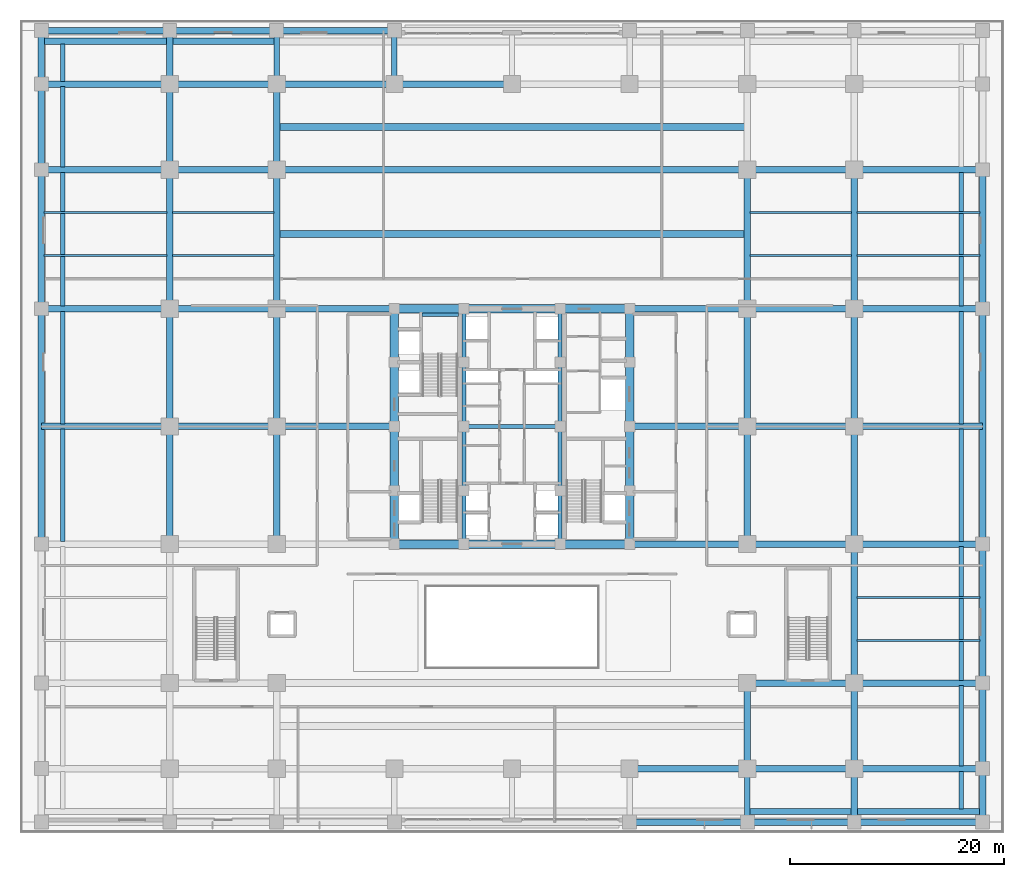
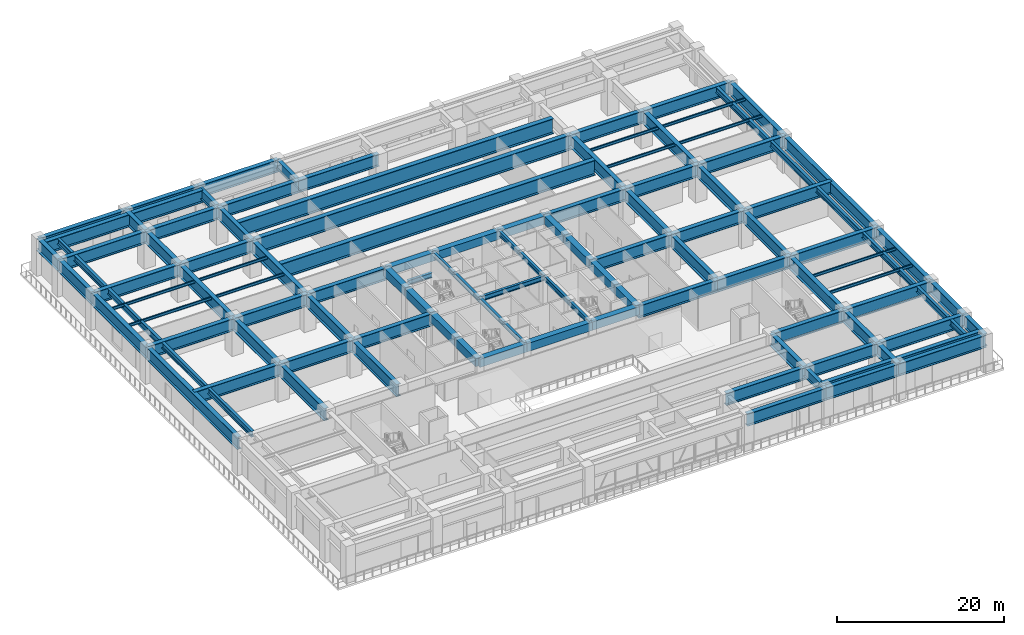
# One storey, part 7 of 28: 117 beams.
"""IFC4 building model written with IfcOpenShell, lengths in metres."""

import ifcopenshell
import ifcopenshell.guid

model = None  # the IFC model being written
_history = None  # IfcOwnerHistory: only IFC2X3 demands one
_inside = {}  # id of a spatial element -> (the spatial element, [elements in it])
_under = {}  # id of a project, library or spatial element -> (it, [spatial elements below it])
_declared = {}  # id of a project -> (the project, [libraries it declares])
_typed = {}  # id of a type object -> (the type object, [elements of that type])
_made_of = {}  # id of a material, layer set ... -> (it, [elements and type objects made of it])


def new_model(schema):
    """Start an empty IFC model of exactly this schema.

    Asked for "IFC4X3", IfcOpenShell would pick the latest addendum, in which some entities
    have other attributes; the version numbers below select the first issue.
    IFC2X3 requires an IfcOwnerHistory on every rooted entity: one is made here for all.
    """
    global model, _history
    if schema == "IFC4X3":
        model = ifcopenshell.file(schema_version=(4, 3, 0, 0))
    else:
        model = ifcopenshell.file(schema=schema)
    _inside.clear()
    _under.clear()
    _declared.clear()
    _typed.clear()
    _made_of.clear()
    _history = None
    if model.schema == "IFC2X3":
        org = make("IfcOrganization", Name="unknown")
        user = make(
            "IfcPersonAndOrganization",
            ThePerson=make("IfcPerson", FamilyName="unknown"),
            TheOrganization=org,
        )
        app = make(
            "IfcApplication",
            ApplicationDeveloper=org,
            Version="unknown",
            ApplicationFullName="unknown",
            ApplicationIdentifier="unknown",
        )
        _history = make(
            "IfcOwnerHistory",
            OwningUser=user,
            OwningApplication=app,
            ChangeAction="ADDED",
            CreationDate=0,
        )
    return model


def make(cls, **values):
    """One entity of the class cls with the attributes given. An attribute that is None is left unset."""
    return model.create_entity(
        cls, **{name: value for name, value in values.items() if value is not None}
    )


def rooted(cls, **values):
    """An entity with a GlobalId (a new one), such as an element, a storey or a relation."""
    return make(cls, GlobalId=ifcopenshell.guid.new(), OwnerHistory=_history, **values)


def si_unit(unit_type, name, prefix=None):
    """IfcSIUnit, for example si_unit("LENGTHUNIT", "METRE", prefix="MILLI")."""
    return make("IfcSIUnit", UnitType=unit_type, Prefix=prefix, Name=name)


def assignment(units):
    """IfcUnitAssignment: the units of a project."""
    return None if units is None else make("IfcUnitAssignment", Units=units)


def point(xyz):
    """IfcCartesianPoint."""
    return None if xyz is None else make("IfcCartesianPoint", Coordinates=xyz)


def direction(xyz):
    """IfcDirection."""
    return None if xyz is None else make("IfcDirection", DirectionRatios=xyz)


def frame(location, z_axis=None, x_axis=None):
    """IfcAxis2Placement3D, a coordinate frame: its origin and axes. An axis left out is left unset."""
    return make(
        "IfcAxis2Placement3D",
        Location=point(location),
        Axis=direction(z_axis),
        RefDirection=direction(x_axis),
    )


def frame_2d(location, x_axis=None):
    """IfcAxis2Placement2D, a coordinate frame in the plane: its origin and x axis."""
    return make(
        "IfcAxis2Placement2D", Location=point(location), RefDirection=direction(x_axis)
    )


def origin():
    """The frame at (0, 0, 0) with its axes left unset."""
    return frame((0.0, 0.0, 0.0))


def origin_2d():
    """The frame at (0, 0) in the plane with its x axis left unset."""
    return frame_2d((0.0, 0.0))


def place(relative_to, where):
    """IfcLocalPlacement: puts the frame where relative to a parent placement (None: the world)."""
    return make(
        "IfcLocalPlacement", PlacementRelTo=relative_to, RelativePlacement=where
    )


def context(
    kind, dimensions, precision=None, world=None, true_north=None, identifier=None
):
    """IfcGeometricRepresentationContext, for example the 3D "Model" context."""
    return make(
        "IfcGeometricRepresentationContext",
        ContextIdentifier=identifier,
        ContextType=kind,
        CoordinateSpaceDimension=dimensions,
        Precision=precision,
        WorldCoordinateSystem=world,
        TrueNorth=true_north,
    )


def subcontext(parent, identifier, kind, view, scale=None):
    """IfcGeometricRepresentationSubContext, for example "Body" below "Model"."""
    return make(
        "IfcGeometricRepresentationSubContext",
        ContextIdentifier=identifier,
        ContextType=kind,
        ParentContext=parent,
        TargetScale=scale,
        TargetView=view,
    )


def project(units=None, contexts=None):
    """IfcProject with its units and contexts."""
    return rooted(
        "IfcProject",
        Name="project",
        RepresentationContexts=contexts,
        UnitsInContext=assignment(units),
    )


def spatial(cls, under=None, at=None, **own):
    """A site, building, storey or space (cls), placed at a placement, below another one or the project."""
    s = rooted(cls, ObjectPlacement=at, **own)
    if under is not None:
        _under.setdefault(under.id(), (under, []))[1].append(s)
    return s


def profile(cls, at=None, kind="AREA", **sizes):
    """A parametric profile (cls). Its sizes go by their IFC names, for example OverallWidth=200.0."""
    return make(cls, ProfileType=kind, Position=at, **sizes)


def rectangle(**sizes):
    """IfcRectangleProfileDef."""
    return profile("IfcRectangleProfileDef", **sizes)


def i_section(**sizes):
    """IfcIShapeProfileDef."""
    return profile("IfcIShapeProfileDef", **sizes)


def extrude(swept, where, along, depth):
    """IfcExtrudedAreaSolid: the profile swept, set in the frame where, extruded along a direction by depth."""
    return make(
        "IfcExtrudedAreaSolid",
        SweptArea=swept,
        Position=where,
        ExtrudedDirection=direction(along),
        Depth=depth,
    )


def shape(context_of_items, identifier, shape_type, items):
    """IfcShapeRepresentation: the items that make up one representation, for example the "Body"."""
    return make(
        "IfcShapeRepresentation",
        ContextOfItems=context_of_items,
        RepresentationIdentifier=identifier,
        RepresentationType=shape_type,
        Items=items,
    )


def source(mapping_origin, context_of_items, identifier, shape_type, items):
    """IfcRepresentationMap: a shape defined once, which mapped items show again and again."""
    return make(
        "IfcRepresentationMap",
        MappingOrigin=mapping_origin,
        MappedRepresentation=shape(context_of_items, identifier, shape_type, items),
    )


def transform(
    local_origin,
    x_axis=None,
    y_axis=None,
    z_axis=None,
    scale=None,
    scale2=None,
    scale3=None,
    uniform=True,
):
    """IfcCartesianTransformationOperator3D, or its non-uniform kind. x_axis, y_axis, z_axis: its Axis1, 2, 3."""
    if uniform:
        return make(
            "IfcCartesianTransformationOperator3D",
            Axis1=direction(x_axis),
            Axis2=direction(y_axis),
            LocalOrigin=point(local_origin),
            Scale=scale,
            Axis3=direction(z_axis),
        )
    return make(
        "IfcCartesianTransformationOperator3DnonUniform",
        Axis1=direction(x_axis),
        Axis2=direction(y_axis),
        LocalOrigin=point(local_origin),
        Scale=scale,
        Axis3=direction(z_axis),
        Scale2=scale2,
        Scale3=scale3,
    )


def mapped(mapping_source, mapping_target):
    """IfcMappedItem: shows the shape of a source again, moved by a transform."""
    return make(
        "IfcMappedItem", MappingSource=mapping_source, MappingTarget=mapping_target
    )


def material(Name=None, Category=None):
    """IfcMaterial."""
    return make("IfcMaterial", Name=Name, Category=Category)


def material_profile(
    of_material, cross_section, Name=None, Category=None, Priority=None
):
    """IfcMaterialProfile: a cross section and its material."""
    return make(
        "IfcMaterialProfile",
        Name=Name,
        Material=of_material,
        Profile=cross_section,
        Priority=Priority,
        Category=Category,
    )


def profile_set(profiles, Name=None, composite=None):
    """IfcMaterialProfileSet."""
    return make(
        "IfcMaterialProfileSet",
        Name=Name,
        MaterialProfiles=profiles,
        CompositeProfile=composite,
    )


def made_of(thing, what):
    """Note that an element or type object is made of a material, layer set ...; save() writes the relation."""
    if what is not None:
        _made_of.setdefault(what.id(), (what, []))[1].append(thing)
    return thing


def type_object(cls, material=None, **own):
    """A type object (cls), such as IfcWallType, which elements share."""
    return made_of(rooted(cls, **own), material)


def element(
    cls,
    number,
    at=None,
    inside=None,
    cuts=None,
    type_object=None,
    material=None,
    context=None,
    identifier="Body",
    shape_type=None,
    held_by="IfcProductDefinitionShape",
    body=None,
    shapes=None,
    **own,
):
    """One element of the class cls, such as IfcWall. Its Tag is "e" and its number.

    at: its placement. inside: the storey or other place that contains it. cuts: it is an
    opening in that element (IfcRelVoidsElement). A single representation is given by context,
    identifier, shape_type and body (its items); several are given by shapes. held_by: the class
    of the entity that holds the representations. save() writes the other relations.
    """
    e = rooted(cls, Tag="e%d" % number, ObjectPlacement=at, **own)
    if body is not None:
        shapes = [shape(context, identifier, shape_type, body)]
    if shapes is not None:
        e.Representation = make(held_by, Representations=shapes)
    if inside is not None:
        _inside.setdefault(inside.id(), (inside, []))[1].append(e)
    if cuts is not None:
        rooted(
            "IfcRelVoidsElement", RelatingBuildingElement=cuts, RelatedOpeningElement=e
        )
    if type_object is not None:
        _typed.setdefault(type_object.id(), (type_object, []))[1].append(e)
    return made_of(e, material)


def aggregate(whole, parts):
    """IfcRelAggregates: a whole, such as a stair, and the parts it consists of."""
    return rooted("IfcRelAggregates", RelatingObject=whole, RelatedObjects=parts)


def save(model, path):
    """Write the relations noted so far, then the file.

    IfcRelAggregates (storeys below a building ...), IfcRelContainedInSpatialStructure (elements
    in a storey), IfcRelDefinesByType, IfcRelAssociatesMaterial and IfcRelDeclares: one each for
    every whole, place, type object, material and project.
    """
    for whole, parts in _under.values():
        aggregate(whole, parts)
    for where, things in _inside.values():
        rooted(
            "IfcRelContainedInSpatialStructure",
            RelatedElements=things,
            RelatingStructure=where,
        )
    for kind, things in _typed.values():
        rooted("IfcRelDefinesByType", RelatedObjects=things, RelatingType=kind)
    for what, things in _made_of.values():
        rooted("IfcRelAssociatesMaterial", RelatedObjects=things, RelatingMaterial=what)
    for by, libraries in _declared.values():
        rooted("IfcRelDeclares", RelatingContext=by, RelatedDefinitions=libraries)
    model.write(path)


model = new_model("IFC4")

# Units and contexts
model_context = context("Model", 3, precision=1e-05, world=origin(), true_north=direction((0.0, 1.0)))
body_context = subcontext(model_context, "Body", "Model", "MODEL_VIEW")
ifc_project = project(units=[si_unit("LENGTHUNIT", "METRE"), si_unit("AREAUNIT", "SQUARE_METRE"), si_unit("VOLUMEUNIT", "CUBIC_METRE"), si_unit("PLANEANGLEUNIT", "RADIAN"), si_unit("MASSUNIT", "GRAM", prefix="KILO")], contexts=[model_context])

# Site, building, storey
site_placement = place(None, origin())
site = spatial("IfcSite", under=ifc_project, at=site_placement, CompositionType="ELEMENT")
building_placement = place(site_placement, origin())
building = spatial("IfcBuilding", under=site, at=building_placement, Name="Khorayat Bourse Tower", CompositionType="ELEMENT")
storey_placement = place(building_placement, frame((0.0, 0.0, 6.60009765625)))
storey = spatial("IfcBuildingStorey", under=building, at=storey_placement, Name="L01", CompositionType="ELEMENT", Elevation=6.60009765625)

# Beams
ifc_material_1 = material(Name="Concrete C72/90", Category="concrete")
ifc_material_profile_1 = material_profile(ifc_material_1, rectangle(XDim=0.800048828125, YDim=1.199951171875, at=origin_2d()), Name="RC 800x1200")
ifc_profile_set_1 = profile_set([ifc_material_profile_1], Name="Concrete C72/90")
beam_type_1 = type_object("IfcBeamType", Name="BM-COUP-1200", PredefinedType="BEAM", material=ifc_profile_set_1)
shared_shape_1 = source(origin(), body_context, "Body", "SweptSolid", [
    extrude(rectangle(XDim=0.800048828125, YDim=1.199951171875, at=origin_2d()), origin(), (0.0, 0.0, 1.0), 5.0),
])
for number, where, z_axis, x_axis, name in (
    (1, (-11.0, -11.0, 4.47998046875), (0.0, 1.0, 0.0), (-1.0, 0.0, 0.0), "L01 BM-COUP-1200 BM-L01-CRX-01"),
    (2, (-11.0, 6.0, 4.47998046875), (0.0, 1.0, 0.0), (-1.0, 0.0, 0.0), "L01 BM-COUP-1200 BM-L01-CRX-04"),
    (3, (11.0, -11.0, 4.47998046875), (0.0, 1.0, 0.0), (-1.0, 0.0, 0.0), "L01 BM-COUP-1200 BM-L01-CRX-13"),
    (4, (11.0, 6.0, 4.47998046875), (0.0, 1.0, 0.0), (-1.0, 0.0, 0.0), "L01 BM-COUP-1200 BM-L01-CRX-16"),
):
    element("IfcBeam", number, at=place(storey_placement, frame(where, z_axis=z_axis, x_axis=x_axis)), inside=storey, type_object=beam_type_1, Name=name, PredefinedType="BEAM", context=body_context, shape_type="MappedRepresentation", body=[
        mapped(shared_shape_1, transform((0.0, 0.0, 0.0), scale=1.0)),
    ])
shared_shape_2 = source(origin(), body_context, "Body", "SweptSolid", [
    extrude(rectangle(XDim=0.800048828125, YDim=1.199951171875, at=origin_2d()), origin(), (0.0, 0.0, 1.0), 6.0),
])
for number, where, z_axis, x_axis, name in (
    (5, (-11.0, -6.0, 4.47998046875), (0.0, 1.0, 0.0), (-1.0, 0.0, 0.0), "L01 BM-COUP-1200 BM-L01-CRX-02"),
    (6, (-11.0, 0.0, 4.47998046875), (0.0, 1.0, 0.0), (-1.0, 0.0, 0.0), "L01 BM-COUP-1200 BM-L01-CRX-03"),
    (7, (11.0, -6.0, 4.47998046875), (0.0, 1.0, 0.0), (-1.0, 0.0, 0.0), "L01 BM-COUP-1200 BM-L01-CRX-14"),
    (8, (11.0, 0.0, 4.47998046875), (0.0, 1.0, 0.0), (-1.0, 0.0, 0.0), "L01 BM-COUP-1200 BM-L01-CRX-15"),
):
    element("IfcBeam", number, at=place(storey_placement, frame(where, z_axis=z_axis, x_axis=x_axis)), inside=storey, type_object=beam_type_1, Name=name, PredefinedType="BEAM", context=body_context, shape_type="MappedRepresentation", body=[
        mapped(shared_shape_2, transform((0.0, 0.0, 0.0), scale=1.0)),
    ])
ifc_material_2 = material(Name="Steel ASTM A992 Grade 50", Category="steel")
ifc_material_profile_2 = material_profile(ifc_material_2, i_section(OverallWidth=0.35498046875, OverallDepth=0.695068359375, WebThickness=0.015380859375, FlangeThickness=0.02490234375, FilletRadius=0.01806640625, at=origin_2d()), Name="W690X217")
ifc_profile_set_2 = profile_set([ifc_material_profile_2], Name="Steel ASTM A992 Grade 50")
beam_type_2 = type_object("IfcBeamType", Name="BM-GIRD-690", PredefinedType="BEAM", material=ifc_profile_set_2)
shared_shape_3 = source(origin(), body_context, "Body", "SweptSolid", [
    extrude(i_section(OverallWidth=0.35498046875, OverallDepth=0.695068359375, WebThickness=0.015380859375, FlangeThickness=0.02490234375, FilletRadius=0.01806640625, at=origin_2d()), origin(), (0.0, 0.0, 1.0), 5.0),
])
for number, where, z_axis, x_axis, name in (
    (9, (-4.5, -11.0, 4.732421875), (0.0, 1.0, 0.0), (-1.0, 0.0, 0.0), "L01 BM-GIRD-690 BM-L01-CRX-05"),
    (10, (-4.5, 6.0, 4.732421875), (0.0, 1.0, 0.0), (-1.0, 0.0, 0.0), "L01 BM-GIRD-690 BM-L01-CRX-08"),
    (11, (4.5, -11.0, 4.732421875), (0.0, 1.0, 0.0), (-1.0, 0.0, 0.0), "L01 BM-GIRD-690 BM-L01-CRX-09"),
    (12, (4.5, 6.0, 4.732421875), (0.0, 1.0, 0.0), (-1.0, 0.0, 0.0), "L01 BM-GIRD-690 BM-L01-CRX-12"),
):
    element("IfcBeam", number, at=place(storey_placement, frame(where, z_axis=z_axis, x_axis=x_axis)), inside=storey, type_object=beam_type_2, Name=name, PredefinedType="BEAM", context=body_context, shape_type="MappedRepresentation", body=[
        mapped(shared_shape_3, transform((0.0, 0.0, 0.0), scale=1.0)),
    ])
shared_shape_4 = source(origin(), body_context, "Body", "SweptSolid", [
    extrude(i_section(OverallWidth=0.35498046875, OverallDepth=0.695068359375, WebThickness=0.015380859375, FlangeThickness=0.02490234375, FilletRadius=0.01806640625, at=origin_2d()), origin(), (0.0, 0.0, 1.0), 6.0),
])
for number, where, z_axis, x_axis, name in (
    (13, (-4.5, -6.0, 4.732421875), (0.0, 1.0, 0.0), (-1.0, 0.0, 0.0), "L01 BM-GIRD-690 BM-L01-CRX-06"),
    (14, (-4.5, 0.0, 4.732421875), (0.0, 1.0, 0.0), (-1.0, 0.0, 0.0), "L01 BM-GIRD-690 BM-L01-CRX-07"),
    (15, (4.5, -6.0, 4.732421875), (0.0, 1.0, 0.0), (-1.0, 0.0, 0.0), "L01 BM-GIRD-690 BM-L01-CRX-10"),
    (16, (4.5, 0.0, 4.732421875), (0.0, 1.0, 0.0), (-1.0, 0.0, 0.0), "L01 BM-GIRD-690 BM-L01-CRX-11"),
):
    element("IfcBeam", number, at=place(storey_placement, frame(where, z_axis=z_axis, x_axis=x_axis)), inside=storey, type_object=beam_type_2, Name=name, PredefinedType="BEAM", context=body_context, shape_type="MappedRepresentation", body=[
        mapped(shared_shape_4, transform((0.0, 0.0, 0.0), scale=1.0)),
    ])
shared_shape_5 = source(origin(), body_context, "Body", "SweptSolid", [
    extrude(rectangle(XDim=0.800048828125, YDim=1.199951171875, at=origin_2d()), origin(), (0.0, 0.0, 1.0), 6.5),
])
for number, where, z_axis, x_axis, name in (
    (17, (-11.0, -11.0, 4.47998046875), (1.0, 0.0, 0.0), (0.0, 1.0, 0.0), "L01 BM-COUP-1200 BM-L01-CRY-17"),
    (18, (4.5, -11.0, 4.47998046875), (1.0, 0.0, 0.0), (0.0, 1.0, 0.0), "L01 BM-COUP-1200 BM-L01-CRY-19"),
    (19, (-11.0, 11.0, 4.47998046875), (1.0, 0.0, 0.0), (0.0, 1.0, 0.0), "L01 BM-COUP-1200 BM-L01-CRY-20"),
    (20, (4.5, 11.0, 4.47998046875), (1.0, 0.0, 0.0), (0.0, 1.0, 0.0), "L01 BM-COUP-1200 BM-L01-CRY-22"),
):
    element("IfcBeam", number, at=place(storey_placement, frame(where, z_axis=z_axis, x_axis=x_axis)), inside=storey, type_object=beam_type_1, Name=name, PredefinedType="BEAM", context=body_context, shape_type="MappedRepresentation", body=[
        mapped(shared_shape_5, transform((0.0, 0.0, 0.0), scale=1.0)),
    ])
shared_shape_6 = source(origin(), body_context, "Body", "SweptSolid", [
    extrude(rectangle(XDim=0.800048828125, YDim=1.199951171875, at=origin_2d()), origin(), (0.0, 0.0, 1.0), 9.0),
])
for number, where, z_axis, x_axis, name in (
    (21, (-4.5, -11.0, 4.47998046875), (1.0, 0.0, 0.0), (0.0, 1.0, 0.0), "L01 BM-COUP-1200 BM-L01-CRY-18"),
    (22, (-4.5, 11.0, 4.47998046875), (1.0, 0.0, 0.0), (0.0, 1.0, 0.0), "L01 BM-COUP-1200 BM-L01-CRY-21"),
):
    element("IfcBeam", number, at=place(storey_placement, frame(where, z_axis=z_axis, x_axis=x_axis)), inside=storey, type_object=beam_type_1, Name=name, PredefinedType="BEAM", context=body_context, shape_type="MappedRepresentation", body=[
        mapped(shared_shape_6, transform((0.0, 0.0, 0.0), scale=1.0)),
    ])
shared_shape_7 = source(origin(), body_context, "Body", "SweptSolid", [
    extrude(i_section(OverallWidth=0.35498046875, OverallDepth=0.695068359375, WebThickness=0.015380859375, FlangeThickness=0.02490234375, FilletRadius=0.01806640625, at=origin_2d()), origin(), (0.0, 0.0, 1.0), 3.39990234375),
])
beam_1_placement = place(storey_placement, frame((-8.419921875, 10.449951171875, 2.15234375), z_axis=(1.0, 0.0, 0.0), x_axis=(0.0, 1.0, 0.0)))
element("IfcBeam", 23, at=beam_1_placement, inside=storey, type_object=beam_type_2, Name="L01 BM-GIRD-690 BM-L01-ST2L", PredefinedType="BEAM", context=body_context, shape_type="MappedRepresentation", body=[
    mapped(shared_shape_7, transform((0.0, 0.0, 0.0), scale=1.0)),
])
shared_shape_8 = source(origin(), body_context, "Body", "SweptSolid", [
    extrude(i_section(OverallWidth=0.35498046875, OverallDepth=0.695068359375, WebThickness=0.015380859375, FlangeThickness=0.02490234375, FilletRadius=0.01806640625, at=origin_2d()), origin(), (0.0, 0.0, 1.0), 9.0),
])
beam_2_placement = place(storey_placement, frame((-4.5, 0.0, 4.732421875), z_axis=(1.0, 0.0, 0.0), x_axis=(0.0, 1.0, 0.0)))
element("IfcBeam", 24, at=beam_2_placement, inside=storey, type_object=beam_type_2, Name="L01 BM-GIRD-690 BM-L01-CRY-23", PredefinedType="BEAM", context=body_context, shape_type="MappedRepresentation", body=[
    mapped(shared_shape_8, transform((0.0, 0.0, 0.0), scale=1.0)),
])
ifc_material_3 = material(Name="Steel EN 10025-4 S460M", Category="steel")
ifc_material_profile_3 = material_profile(ifc_material_3, i_section(OverallWidth=0.60009765625, OverallDepth=1.800048828125, WebThickness=0.031982421875, FlangeThickness=0.06005859375, at=origin_2d()), Name="PG 1800x600x32x60")
ifc_profile_set_3 = profile_set([ifc_material_profile_3], Name="Steel EN 10025-4 S460M")
beam_type_3 = type_object("IfcBeamType", Name="BM-TR-1800", PredefinedType="BEAM", material=ifc_profile_set_3)
shared_shape_9 = source(origin(), body_context, "Body", "SweptSolid", [
    extrude(i_section(OverallWidth=0.60009765625, OverallDepth=1.800048828125, WebThickness=0.031982421875, FlangeThickness=0.06005859375, at=origin_2d()), origin(), (0.0, 0.0, 1.0), 10.0),
])
for number, where, z_axis, x_axis, name in (
    (25, (22.0, -37.0, 4.179931640625), (1.0, 0.0, 0.0), (0.0, 1.0, 0.0), "L01 BM-TR-1800 BM-L01-PGX-029"),
    (26, (22.0, -36.0, 4.179931640625), (1.0, 0.0, 0.0), (0.0, 1.0, 0.0), "L01 BM-TR-1800 BM-L01-PGX-034"),
    (27, (22.0, -32.0, 4.179931640625), (1.0, 0.0, 0.0), (0.0, 1.0, 0.0), "L01 BM-TR-1800 BM-L01-PGX-042"),
    (28, (22.0, -24.0, 4.179931640625), (1.0, 0.0, 0.0), (0.0, 1.0, 0.0), "L01 BM-TR-1800 BM-L01-PGX-047"),
    (29, (22.0, -11.0, 4.179931640625), (1.0, 0.0, 0.0), (0.0, 1.0, 0.0), "L01 BM-TR-1800 BM-L01-PGX-056"),
    (30, (-32.0, 0.0, 4.179931640625), (1.0, 0.0, 0.0), (0.0, 1.0, 0.0), "L01 BM-TR-1800 BM-L01-PGX-059"),
    (31, (22.0, 0.0, 4.179931640625), (1.0, 0.0, 0.0), (0.0, 1.0, 0.0), "L01 BM-TR-1800 BM-L01-PGX-062"),
    (32, (-32.0, 11.0, 4.179931640625), (1.0, 0.0, 0.0), (0.0, 1.0, 0.0), "L01 BM-TR-1800 BM-L01-PGX-065"),
    (33, (22.0, 11.0, 4.179931640625), (1.0, 0.0, 0.0), (0.0, 1.0, 0.0), "L01 BM-TR-1800 BM-L01-PGX-071"),
    (34, (-32.0, 24.0, 4.179931640625), (1.0, 0.0, 0.0), (0.0, 1.0, 0.0), "L01 BM-TR-1800 BM-L01-PGX-074"),
    (35, (22.0, 24.0, 4.179931640625), (1.0, 0.0, 0.0), (0.0, 1.0, 0.0), "L01 BM-TR-1800 BM-L01-PGX-076"),
    (36, (-32.0, 32.0, 4.179931640625), (1.0, 0.0, 0.0), (0.0, 1.0, 0.0), "L01 BM-TR-1800 BM-L01-PGX-079"),
    (37, (-32.0, 36.0, 4.179931640625), (1.0, 0.0, 0.0), (0.0, 1.0, 0.0), "L01 BM-TR-1800 BM-L01-PGX-087"),
    (38, (-32.0, 37.0, 4.179931640625), (1.0, 0.0, 0.0), (0.0, 1.0, 0.0), "L01 BM-TR-1800 BM-L01-PGX-092"),
):
    element("IfcBeam", number, at=place(storey_placement, frame(where, z_axis=z_axis, x_axis=x_axis)), inside=storey, type_object=beam_type_3, Name=name, PredefinedType="BEAM", context=body_context, shape_type="MappedRepresentation", body=[
        mapped(shared_shape_9, transform((0.0, 0.0, 0.0), scale=1.0)),
    ])
shared_shape_10 = source(origin(), body_context, "Body", "SweptSolid", [
    extrude(i_section(OverallWidth=0.60009765625, OverallDepth=1.800048828125, WebThickness=0.031982421875, FlangeThickness=0.06005859375, at=origin_2d()), origin(), (0.0, 0.0, 1.0), 11.0),
])
for number, where, z_axis, x_axis, name in (
    (39, (11.0, -37.0, 4.179931640625), (1.0, 0.0, 0.0), (0.0, 1.0, 0.0), "L01 BM-TR-1800 BM-L01-PGX-028"),
    (40, (11.0, -32.0, 4.179931640625), (1.0, 0.0, 0.0), (0.0, 1.0, 0.0), "L01 BM-TR-1800 BM-L01-PGX-041"),
    (41, (11.0, -11.0, 4.179931640625), (1.0, 0.0, 0.0), (0.0, 1.0, 0.0), "L01 BM-TR-1800 BM-L01-PGX-055"),
    (42, (-22.0, 0.0, 4.179931640625), (1.0, 0.0, 0.0), (0.0, 1.0, 0.0), "L01 BM-TR-1800 BM-L01-PGX-060"),
    (43, (11.0, 0.0, 4.179931640625), (1.0, 0.0, 0.0), (0.0, 1.0, 0.0), "L01 BM-TR-1800 BM-L01-PGX-061"),
    (44, (-22.0, 11.0, 4.179931640625), (1.0, 0.0, 0.0), (0.0, 1.0, 0.0), "L01 BM-TR-1800 BM-L01-PGX-066"),
    (45, (11.0, 11.0, 4.179931640625), (1.0, 0.0, 0.0), (0.0, 1.0, 0.0), "L01 BM-TR-1800 BM-L01-PGX-070"),
    (46, (-22.0, 32.0, 4.179931640625), (1.0, 0.0, 0.0), (0.0, 1.0, 0.0), "L01 BM-TR-1800 BM-L01-PGX-080"),
    (47, (-11.0, 32.0, 4.179931640625), (1.0, 0.0, 0.0), (0.0, 1.0, 0.0), "L01 BM-TR-1800 BM-L01-PGX-081"),
    (48, (-22.0, 37.0, 4.179931640625), (1.0, 0.0, 0.0), (0.0, 1.0, 0.0), "L01 BM-TR-1800 BM-L01-PGX-093"),
    (49, (-32.0, -11.0, 4.179931640625), (0.0, 1.0, 0.0), (-1.0, 0.0, 0.0), "L01 BM-TR-1800 BM-L01-PGY-116"),
    (50, (-32.0, 0.0, 4.179931640625), (0.0, 1.0, 0.0), (-1.0, 0.0, 0.0), "L01 BM-TR-1800 BM-L01-PGY-117"),
    (51, (-22.0, -11.0, 4.179931640625), (0.0, 1.0, 0.0), (-1.0, 0.0, 0.0), "L01 BM-TR-1800 BM-L01-PGY-123"),
    (52, (-22.0, 0.0, 4.179931640625), (0.0, 1.0, 0.0), (-1.0, 0.0, 0.0), "L01 BM-TR-1800 BM-L01-PGY-124"),
    (53, (22.0, -11.0, 4.179931640625), (0.0, 1.0, 0.0), (-1.0, 0.0, 0.0), "L01 BM-TR-1800 BM-L01-PGY-139"),
    (54, (22.0, 0.0, 4.179931640625), (0.0, 1.0, 0.0), (-1.0, 0.0, 0.0), "L01 BM-TR-1800 BM-L01-PGY-140"),
    (55, (32.0, -11.0, 4.179931640625), (0.0, 1.0, 0.0), (-1.0, 0.0, 0.0), "L01 BM-TR-1800 BM-L01-PGY-147"),
    (56, (32.0, 0.0, 4.179931640625), (0.0, 1.0, 0.0), (-1.0, 0.0, 0.0), "L01 BM-TR-1800 BM-L01-PGY-148"),
):
    element("IfcBeam", number, at=place(storey_placement, frame(where, z_axis=z_axis, x_axis=x_axis)), inside=storey, type_object=beam_type_3, Name=name, PredefinedType="BEAM", context=body_context, shape_type="MappedRepresentation", body=[
        mapped(shared_shape_10, transform((0.0, 0.0, 0.0), scale=1.0)),
    ])
shared_shape_11 = source(origin(), body_context, "Body", "SweptSolid", [
    extrude(i_section(OverallWidth=0.60009765625, OverallDepth=1.800048828125, WebThickness=0.031982421875, FlangeThickness=0.06005859375, at=origin_2d()), origin(), (0.0, 0.0, 1.0), 8.0),
])
for number, where, z_axis, x_axis, name in (
    (57, (-44.0, 24.0, 4.179931640625), (0.0, 1.0, 0.0), (-1.0, 0.0, 0.0), "L01 BM-TR-1800 BM-L01-PGY-103"),
    (58, (-32.0, 24.0, 4.179931640625), (0.0, 1.0, 0.0), (-1.0, 0.0, 0.0), "L01 BM-TR-1800 BM-L01-PGY-119"),
    (59, (-22.0, 24.0, 4.179931640625), (0.0, 1.0, 0.0), (-1.0, 0.0, 0.0), "L01 BM-TR-1800 BM-L01-PGY-126"),
    (60, (22.0, -32.0, 4.179931640625), (0.0, 1.0, 0.0), (-1.0, 0.0, 0.0), "L01 BM-TR-1800 BM-L01-PGY-138"),
    (61, (32.0, -32.0, 4.179931640625), (0.0, 1.0, 0.0), (-1.0, 0.0, 0.0), "L01 BM-TR-1800 BM-L01-PGY-145"),
    (62, (44.0, -32.0, 4.179931640625), (0.0, 1.0, 0.0), (-1.0, 0.0, 0.0), "L01 BM-TR-1800 BM-L01-PGY-161"),
):
    element("IfcBeam", number, at=place(storey_placement, frame(where, z_axis=z_axis, x_axis=x_axis)), inside=storey, type_object=beam_type_3, Name=name, PredefinedType="BEAM", context=body_context, shape_type="MappedRepresentation", body=[
        mapped(shared_shape_11, transform((0.0, 0.0, 0.0), scale=1.0)),
    ])
shared_shape_12 = source(origin(), body_context, "Body", "SweptSolid", [
    extrude(i_section(OverallWidth=0.60009765625, OverallDepth=1.800048828125, WebThickness=0.031982421875, FlangeThickness=0.06005859375, at=origin_2d()), origin(), (0.0, 0.0, 1.0), 13.0),
])
for number, where, z_axis, x_axis, name in (
    (63, (-44.0, 11.0, 4.179931640625), (0.0, 1.0, 0.0), (-1.0, 0.0, 0.0), "L01 BM-TR-1800 BM-L01-PGY-102"),
    (64, (-32.0, 11.0, 4.179931640625), (0.0, 1.0, 0.0), (-1.0, 0.0, 0.0), "L01 BM-TR-1800 BM-L01-PGY-118"),
    (65, (-22.0, 11.0, 4.179931640625), (0.0, 1.0, 0.0), (-1.0, 0.0, 0.0), "L01 BM-TR-1800 BM-L01-PGY-125"),
    (66, (22.0, 11.0, 4.179931640625), (0.0, 1.0, 0.0), (-1.0, 0.0, 0.0), "L01 BM-TR-1800 BM-L01-PGY-141"),
    (67, (32.0, -24.0, 4.179931640625), (0.0, 1.0, 0.0), (-1.0, 0.0, 0.0), "L01 BM-TR-1800 BM-L01-PGY-146"),
    (68, (32.0, 11.0, 4.179931640625), (0.0, 1.0, 0.0), (-1.0, 0.0, 0.0), "L01 BM-TR-1800 BM-L01-PGY-149"),
    (69, (44.0, -24.0, 4.179931640625), (0.0, 1.0, 0.0), (-1.0, 0.0, 0.0), "L01 BM-TR-1800 BM-L01-PGY-162"),
    (70, (44.0, 11.0, 4.179931640625), (0.0, 1.0, 0.0), (-1.0, 0.0, 0.0), "L01 BM-TR-1800 BM-L01-PGY-164"),
):
    element("IfcBeam", number, at=place(storey_placement, frame(where, z_axis=z_axis, x_axis=x_axis)), inside=storey, type_object=beam_type_3, Name=name, PredefinedType="BEAM", context=body_context, shape_type="MappedRepresentation", body=[
        mapped(shared_shape_12, transform((0.0, 0.0, 0.0), scale=1.0)),
    ])
ifc_material_profile_4 = material_profile(ifc_material_3, i_section(OverallWidth=0.64990234375, OverallDepth=2.199951171875, WebThickness=0.035888671875, FlangeThickness=0.06494140625, at=origin_2d()), Name="PG 2200x650x36x65")
ifc_profile_set_4 = profile_set([ifc_material_profile_4], Name="Steel EN 10025-4 S460M")
beam_type_4 = type_object("IfcBeamType", Name="BM-TR-2200", PredefinedType="BEAM", material=ifc_profile_set_4)
shared_shape_13 = source(origin(), body_context, "Body", "SweptSolid", [
    extrude(i_section(OverallWidth=0.64990234375, OverallDepth=2.199951171875, WebThickness=0.035888671875, FlangeThickness=0.06494140625, at=origin_2d()), origin(), (0.0, 0.0, 1.0), 44.0),
])
beam_3_placement = place(storey_placement, frame((-22.0, 24.0, 3.97998046875), z_axis=(1.0, 0.0, 0.0), x_axis=(0.0, 1.0, 0.0)))
element("IfcBeam", 71, at=beam_3_placement, inside=storey, type_object=beam_type_4, Name="L01 BM-TR-2200 BM-L01-PGX-075", PredefinedType="BEAM", context=body_context, shape_type="MappedRepresentation", body=[
    mapped(shared_shape_13, transform((0.0, 0.0, 0.0), scale=1.0)),
])
ifc_material_profile_5 = material_profile(ifc_material_2, i_section(OverallWidth=0.39990234375, OverallDepth=0.85498046875, WebThickness=0.018310546875, FlangeThickness=0.029296875, FilletRadius=0.02001953125, at=origin_2d()), Name="W840X299")
ifc_profile_set_5 = profile_set([ifc_material_profile_5], Name="Steel ASTM A992 Grade 50")
beam_type_5 = type_object("IfcBeamType", Name="BM-GIRD-840", PredefinedType="BEAM", material=ifc_profile_set_5)
shared_shape_14 = source(origin(), body_context, "Body", "SweptSolid", [
    extrude(i_section(OverallWidth=0.39990234375, OverallDepth=0.85498046875, WebThickness=0.018310546875, FlangeThickness=0.029296875, FilletRadius=0.02001953125, at=origin_2d()), origin(), (0.0, 0.0, 1.0), 7.52001953125),
])
for number, where, z_axis, x_axis, name in (
    (72, (-42.0, 24.239990234375, 4.65234375), (0.0, 1.0, 0.0), (-1.0, 0.0, 0.0), "L01 BM-GIRD-840 BM-L01-PGY-111"),
    (73, (42.0, -31.760009765625, 4.65234375), (0.0, 1.0, 0.0), (-1.0, 0.0, 0.0), "L01 BM-GIRD-840 BM-L01-PGY-153"),
):
    element("IfcBeam", number, at=place(storey_placement, frame(where, z_axis=z_axis, x_axis=x_axis)), inside=storey, type_object=beam_type_5, Name=name, PredefinedType="BEAM", context=body_context, shape_type="MappedRepresentation", body=[
        mapped(shared_shape_14, transform((0.0, 0.0, 0.0), scale=1.0)),
    ])
shared_shape_15 = source(origin(), body_context, "Body", "SweptSolid", [
    extrude(i_section(OverallWidth=0.39990234375, OverallDepth=0.85498046875, WebThickness=0.018310546875, FlangeThickness=0.029296875, FilletRadius=0.02001953125, at=origin_2d()), origin(), (0.0, 0.0, 1.0), 12.52001953125),
])
for number, where, z_axis, x_axis, name in (
    (74, (-42.0, 11.239990234375, 4.65234375), (0.0, 1.0, 0.0), (-1.0, 0.0, 0.0), "L01 BM-GIRD-840 BM-L01-PGY-110"),
    (75, (42.0, -23.760009765625, 4.65234375), (0.0, 1.0, 0.0), (-1.0, 0.0, 0.0), "L01 BM-GIRD-840 BM-L01-PGY-154"),
    (76, (42.0, 11.239990234375, 4.65234375), (0.0, 1.0, 0.0), (-1.0, 0.0, 0.0), "L01 BM-GIRD-840 BM-L01-PGY-157"),
):
    element("IfcBeam", number, at=place(storey_placement, frame(where, z_axis=z_axis, x_axis=x_axis)), inside=storey, type_object=beam_type_5, Name=name, PredefinedType="BEAM", context=body_context, shape_type="MappedRepresentation", body=[
        mapped(shared_shape_15, transform((0.0, 0.0, 0.0), scale=1.0)),
    ])
shared_shape_16 = source(origin(), body_context, "Body", "SweptSolid", [
    extrude(i_section(OverallWidth=0.39990234375, OverallDepth=0.85498046875, WebThickness=0.018310546875, FlangeThickness=0.029296875, FilletRadius=0.02001953125, at=origin_2d()), origin(), (0.0, 0.0, 1.0), 10.52001953125),
])
for number, where, z_axis, x_axis, name in (
    (77, (-42.0, -10.760009765625, 4.65234375), (0.0, 1.0, 0.0), (-1.0, 0.0, 0.0), "L01 BM-GIRD-840 BM-L01-PGY-108"),
    (78, (-42.0, 0.239990234375, 4.65234375), (0.0, 1.0, 0.0), (-1.0, 0.0, 0.0), "L01 BM-GIRD-840 BM-L01-PGY-109"),
    (79, (42.0, -10.760009765625, 4.65234375), (0.0, 1.0, 0.0), (-1.0, 0.0, 0.0), "L01 BM-GIRD-840 BM-L01-PGY-155"),
    (80, (42.0, 0.239990234375, 4.65234375), (0.0, 1.0, 0.0), (-1.0, 0.0, 0.0), "L01 BM-GIRD-840 BM-L01-PGY-156"),
):
    element("IfcBeam", number, at=place(storey_placement, frame(where, z_axis=z_axis, x_axis=x_axis)), inside=storey, type_object=beam_type_5, Name=name, PredefinedType="BEAM", context=body_context, shape_type="MappedRepresentation", body=[
        mapped(shared_shape_16, transform((0.0, 0.0, 0.0), scale=1.0)),
    ])
shared_shape_17 = source(origin(), body_context, "Body", "SweptSolid", [
    extrude(i_section(OverallWidth=0.64990234375, OverallDepth=2.199951171875, WebThickness=0.035888671875, FlangeThickness=0.06494140625, at=origin_2d()), origin(), (0.0, 0.0, 1.0), 43.52001953125),
])
for number, where, z_axis, x_axis, name in (
    (81, (-21.760009765625, 18.0, 3.97998046875), (1.0, 0.0, 0.0), (0.0, 1.0, 0.0), "L01 BM-TR-2200 BM-L01-HTR-168"),
    (82, (-21.760009765625, 28.0, 3.97998046875), (1.0, 0.0, 0.0), (0.0, 1.0, 0.0), "L01 BM-TR-2200 BM-L01-HTR-169"),
):
    element("IfcBeam", number, at=place(storey_placement, frame(where, z_axis=z_axis, x_axis=x_axis)), inside=storey, type_object=beam_type_4, Name=name, PredefinedType="BEAM", context=body_context, shape_type="MappedRepresentation", body=[
        mapped(shared_shape_17, transform((0.0, 0.0, 0.0), scale=1.0)),
    ])
ifc_material_profile_6 = material_profile(ifc_material_2, i_section(OverallWidth=0.180908203125, OverallDepth=0.4169921875, WebThickness=0.010986328125, FlangeThickness=0.018310546875, FilletRadius=0.011962890625, at=origin_2d()), Name="W410X85")
ifc_profile_set_6 = profile_set([ifc_material_profile_6], Name="Steel ASTM A992 Grade 50")
beam_type_6 = type_object("IfcBeamType", Name="BM-JOIST-410", PredefinedType="JOIST", material=ifc_profile_set_6)
shared_shape_18 = source(origin(), body_context, "Body", "SweptSolid", [
    extrude(i_section(OverallWidth=0.180908203125, OverallDepth=0.4169921875, WebThickness=0.010986328125, FlangeThickness=0.018310546875, FilletRadius=0.011962890625, at=origin_2d()), origin(), (0.0, 0.0, 1.0), 9.52001953125),
])
for number, where, z_axis, x_axis, name in (
    (83, (-31.760009765625, 16.0, 4.871337890625), (1.0, 0.0, 0.0), (0.0, 1.0, 0.0), "L01 BM-JOIST-410 BM-L01-PJ-175"),
    (84, (22.239990234375, 16.0, 4.871337890625), (1.0, 0.0, 0.0), (0.0, 1.0, 0.0), "L01 BM-JOIST-410 BM-L01-PJ-176"),
    (85, (-31.760009765625, 20.0, 4.871337890625), (1.0, 0.0, 0.0), (0.0, 1.0, 0.0), "L01 BM-JOIST-410 BM-L01-PJ-179"),
    (86, (22.239990234375, 20.0, 4.871337890625), (1.0, 0.0, 0.0), (0.0, 1.0, 0.0), "L01 BM-JOIST-410 BM-L01-PJ-180"),
):
    element("IfcBeam", number, at=place(storey_placement, frame(where, z_axis=z_axis, x_axis=x_axis)), inside=storey, type_object=beam_type_6, Name=name, PredefinedType="JOIST", context=body_context, shape_type="MappedRepresentation", body=[
        mapped(shared_shape_18, transform((0.0, 0.0, 0.0), scale=1.0)),
    ])
shared_shape_19 = source(origin(), body_context, "Body", "SweptSolid", [
    extrude(i_section(OverallWidth=0.60009765625, OverallDepth=1.800048828125, WebThickness=0.031982421875, FlangeThickness=0.06005859375, at=origin_2d()), origin(), (0.0, 0.0, 1.0), 12.0),
])
for number, where, z_axis, x_axis, name in (
    (87, (32.0, -37.0, 4.179931640625), (1.0, 0.0, 0.0), (0.0, 1.0, 0.0), "L01 BM-TR-1800 BM-L01-PGX-030"),
    (88, (32.0, -36.0, 4.179931640625), (1.0, 0.0, 0.0), (0.0, 1.0, 0.0), "L01 BM-TR-1800 BM-L01-PGX-035"),
    (89, (32.0, -32.0, 4.179931640625), (1.0, 0.0, 0.0), (0.0, 1.0, 0.0), "L01 BM-TR-1800 BM-L01-PGX-043"),
    (90, (32.0, -24.0, 4.179931640625), (1.0, 0.0, 0.0), (0.0, 1.0, 0.0), "L01 BM-TR-1800 BM-L01-PGX-048"),
    (91, (32.0, -11.0, 4.179931640625), (1.0, 0.0, 0.0), (0.0, 1.0, 0.0), "L01 BM-TR-1800 BM-L01-PGX-057"),
    (92, (-44.0, 0.0, 4.179931640625), (1.0, 0.0, 0.0), (0.0, 1.0, 0.0), "L01 BM-TR-1800 BM-L01-PGX-058"),
    (93, (32.0, 0.0, 4.179931640625), (1.0, 0.0, 0.0), (0.0, 1.0, 0.0), "L01 BM-TR-1800 BM-L01-PGX-063"),
    (94, (-44.0, 11.0, 4.179931640625), (1.0, 0.0, 0.0), (0.0, 1.0, 0.0), "L01 BM-TR-1800 BM-L01-PGX-064"),
    (95, (32.0, 11.0, 4.179931640625), (1.0, 0.0, 0.0), (0.0, 1.0, 0.0), "L01 BM-TR-1800 BM-L01-PGX-072"),
    (96, (-44.0, 24.0, 4.179931640625), (1.0, 0.0, 0.0), (0.0, 1.0, 0.0), "L01 BM-TR-1800 BM-L01-PGX-073"),
    (97, (32.0, 24.0, 4.179931640625), (1.0, 0.0, 0.0), (0.0, 1.0, 0.0), "L01 BM-TR-1800 BM-L01-PGX-077"),
    (98, (-44.0, 32.0, 4.179931640625), (1.0, 0.0, 0.0), (0.0, 1.0, 0.0), "L01 BM-TR-1800 BM-L01-PGX-078"),
    (99, (-44.0, 36.0, 4.179931640625), (1.0, 0.0, 0.0), (0.0, 1.0, 0.0), "L01 BM-TR-1800 BM-L01-PGX-086"),
    (100, (-44.0, 37.0, 4.179931640625), (1.0, 0.0, 0.0), (0.0, 1.0, 0.0), "L01 BM-TR-1800 BM-L01-PGX-091"),
):
    element("IfcBeam", number, at=place(storey_placement, frame(where, z_axis=z_axis, x_axis=x_axis)), inside=storey, type_object=beam_type_3, Name=name, PredefinedType="BEAM", context=body_context, shape_type="MappedRepresentation", body=[
        mapped(shared_shape_19, transform((0.0, 0.0, 0.0), scale=1.0)),
    ])
shared_shape_20 = source(origin(), body_context, "Body", "SweptSolid", [
    extrude(i_section(OverallWidth=0.60009765625, OverallDepth=1.800048828125, WebThickness=0.031982421875, FlangeThickness=0.06005859375, at=origin_2d()), origin(), (0.0, 0.0, 1.0), 22.0),
])
for number, where, z_axis, x_axis, name in (
    (101, (-44.0, -11.0, 4.179931640625), (0.0, 1.0, 0.0), (-1.0, 0.0, 0.0), "L01 BM-TR-1800 BM-L01-PGY-101"),
    (102, (44.0, -11.0, 4.179931640625), (0.0, 1.0, 0.0), (-1.0, 0.0, 0.0), "L01 BM-TR-1800 BM-L01-PGY-163"),
):
    element("IfcBeam", number, at=place(storey_placement, frame(where, z_axis=z_axis, x_axis=x_axis)), inside=storey, type_object=beam_type_3, Name=name, PredefinedType="BEAM", context=body_context, shape_type="MappedRepresentation", body=[
        mapped(shared_shape_20, transform((0.0, 0.0, 0.0), scale=1.0)),
    ])
shared_shape_21 = source(origin(), body_context, "Body", "SweptSolid", [
    extrude(i_section(OverallWidth=0.60009765625, OverallDepth=1.800048828125, WebThickness=0.031982421875, FlangeThickness=0.06005859375, at=origin_2d()), origin(), (0.0, 0.0, 1.0), 5.0),
])
for number, where, z_axis, x_axis, name in (
    (103, (-44.0, 32.0, 4.179931640625), (0.0, 1.0, 0.0), (-1.0, 0.0, 0.0), "L01 BM-TR-1800 BM-L01-PGY-104"),
    (104, (-32.0, 32.0, 4.179931640625), (0.0, 1.0, 0.0), (-1.0, 0.0, 0.0), "L01 BM-TR-1800 BM-L01-PGY-120"),
    (105, (32.0, -37.0, 4.179931640625), (0.0, 1.0, 0.0), (-1.0, 0.0, 0.0), "L01 BM-TR-1800 BM-L01-PGY-144"),
    (106, (44.0, -37.0, 4.179931640625), (0.0, 1.0, 0.0), (-1.0, 0.0, 0.0), "L01 BM-TR-1800 BM-L01-PGY-160"),
):
    element("IfcBeam", number, at=place(storey_placement, frame(where, z_axis=z_axis, x_axis=x_axis)), inside=storey, type_object=beam_type_3, Name=name, PredefinedType="BEAM", context=body_context, shape_type="MappedRepresentation", body=[
        mapped(shared_shape_21, transform((0.0, 0.0, 0.0), scale=1.0)),
    ])
shared_shape_22 = source(origin(), body_context, "Body", "SweptSolid", [
    extrude(i_section(OverallWidth=0.39990234375, OverallDepth=0.85498046875, WebThickness=0.018310546875, FlangeThickness=0.029296875, FilletRadius=0.02001953125, at=origin_2d()), origin(), (0.0, 0.0, 1.0), 3.52001953125),
])
for number, where, z_axis, x_axis, name in (
    (107, (-42.0, 32.239990234375, 4.65234375), (0.0, 1.0, 0.0), (-1.0, 0.0, 0.0), "L01 BM-GIRD-840 BM-L01-PGY-112"),
    (108, (42.0, -35.760009765625, 4.65234375), (0.0, 1.0, 0.0), (-1.0, 0.0, 0.0), "L01 BM-GIRD-840 BM-L01-PGY-152"),
):
    element("IfcBeam", number, at=place(storey_placement, frame(where, z_axis=z_axis, x_axis=x_axis)), inside=storey, type_object=beam_type_5, Name=name, PredefinedType="BEAM", context=body_context, shape_type="MappedRepresentation", body=[
        mapped(shared_shape_22, transform((0.0, 0.0, 0.0), scale=1.0)),
    ])
ifc_material_profile_7 = material_profile(ifc_material_3, i_section(OverallWidth=0.5, OverallDepth=1.39990234375, WebThickness=0.02490234375, FlangeThickness=0.050048828125, at=origin_2d()), Name="PG 1400x500x25x50")
ifc_profile_set_7 = profile_set([ifc_material_profile_7], Name="Steel EN 10025-4 S460M")
beam_type_7 = type_object("IfcBeamType", Name="BM-TR-1400", PredefinedType="BEAM", material=ifc_profile_set_7)
shared_shape_23 = source(origin(), body_context, "Body", "SweptSolid", [
    extrude(i_section(OverallWidth=0.5, OverallDepth=1.39990234375, WebThickness=0.02490234375, FlangeThickness=0.050048828125, at=origin_2d()), origin(), (0.0, 0.0, 1.0), 5.0),
])
for number, where, z_axis, x_axis, name in (
    (109, (-22.0, 32.0, 4.3798828125), (0.0, 1.0, 0.0), (-1.0, 0.0, 0.0), "L01 BM-TR-1400 BM-L01-PGY-127"),
    (110, (-11.0, 32.0, 4.3798828125), (0.0, 1.0, 0.0), (-1.0, 0.0, 0.0), "L01 BM-TR-1400 BM-L01-PGY-130"),
    (111, (22.0, -37.0, 4.3798828125), (0.0, 1.0, 0.0), (-1.0, 0.0, 0.0), "L01 BM-TR-1400 BM-L01-PGY-137"),
):
    element("IfcBeam", number, at=place(storey_placement, frame(where, z_axis=z_axis, x_axis=x_axis)), inside=storey, type_object=beam_type_7, Name=name, PredefinedType="BEAM", context=body_context, shape_type="MappedRepresentation", body=[
        mapped(shared_shape_23, transform((0.0, 0.0, 0.0), scale=1.0)),
    ])
shared_shape_24 = source(origin(), body_context, "Body", "SweptSolid", [
    extrude(i_section(OverallWidth=0.180908203125, OverallDepth=0.4169921875, WebThickness=0.010986328125, FlangeThickness=0.018310546875, FilletRadius=0.011962890625, at=origin_2d()), origin(), (0.0, 0.0, 1.0), 11.52001953125),
])
for number, where, z_axis, x_axis, name in (
    (112, (32.239990234375, -20.0, 4.871337890625), (1.0, 0.0, 0.0), (0.0, 1.0, 0.0), "L01 BM-JOIST-410 BM-L01-PJ-171"),
    (113, (32.239990234375, -16.0, 4.871337890625), (1.0, 0.0, 0.0), (0.0, 1.0, 0.0), "L01 BM-JOIST-410 BM-L01-PJ-173"),
    (114, (-43.760009765625, 16.0, 4.871337890625), (1.0, 0.0, 0.0), (0.0, 1.0, 0.0), "L01 BM-JOIST-410 BM-L01-PJ-174"),
    (115, (32.239990234375, 16.0, 4.871337890625), (1.0, 0.0, 0.0), (0.0, 1.0, 0.0), "L01 BM-JOIST-410 BM-L01-PJ-177"),
    (116, (-43.760009765625, 20.0, 4.871337890625), (1.0, 0.0, 0.0), (0.0, 1.0, 0.0), "L01 BM-JOIST-410 BM-L01-PJ-178"),
    (117, (32.239990234375, 20.0, 4.871337890625), (1.0, 0.0, 0.0), (0.0, 1.0, 0.0), "L01 BM-JOIST-410 BM-L01-PJ-181"),
):
    element("IfcBeam", number, at=place(storey_placement, frame(where, z_axis=z_axis, x_axis=x_axis)), inside=storey, type_object=beam_type_6, Name=name, PredefinedType="JOIST", context=body_context, shape_type="MappedRepresentation", body=[
        mapped(shared_shape_24, transform((0.0, 0.0, 0.0), scale=1.0)),
    ])

save(model, "model.ifc")
